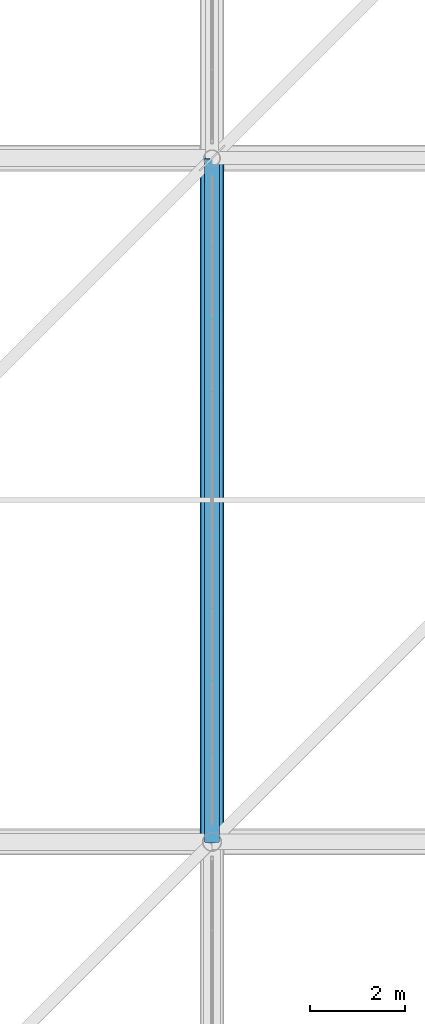
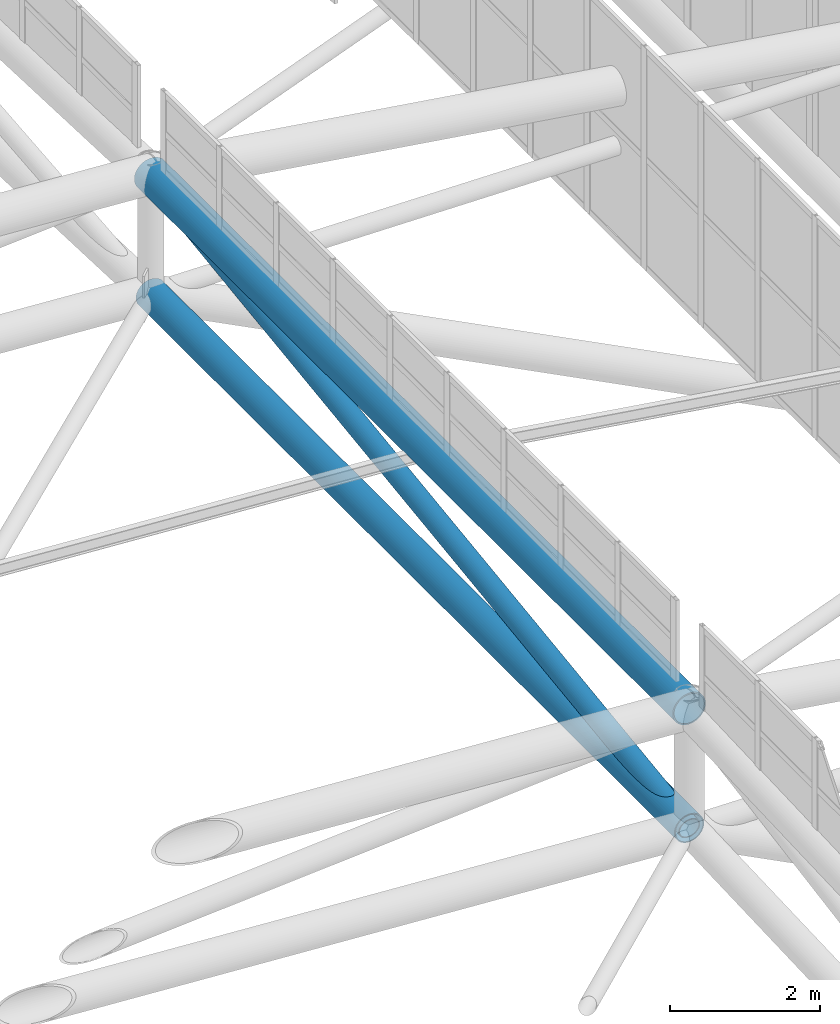
# One storey, part 268 of 397: 2 beams, 1 member.
"""IFC4 building model written with IfcOpenShell, lengths in metres."""

from ifc_helpers import new_model, si_unit, direction, frame, origin, origin_2d, place, context, subcontext, project, spatial, hollow_circle, extrude, material, material_profile, profile_set, type_object, element, save


model = new_model("IFC4")

# Units and contexts
model_context = context("Model", 3, precision=1e-05, world=origin(), true_north=direction((0.0, 1.0)))
body_context = subcontext(model_context, "Body", "Model", "MODEL_VIEW")
ifc_project = project(units=[si_unit("LENGTHUNIT", "METRE"), si_unit("AREAUNIT", "SQUARE_METRE"), si_unit("VOLUMEUNIT", "CUBIC_METRE"), si_unit("PLANEANGLEUNIT", "RADIAN"), si_unit("MASSUNIT", "GRAM", prefix="KILO")], contexts=[model_context])

# Site, building, storey
site_placement = place(None, origin())
site = spatial("IfcSite", under=ifc_project, at=site_placement, CompositionType="ELEMENT")
building_placement = place(site_placement, origin())
building = spatial("IfcBuilding", under=site, at=building_placement, Name="Qandorah Velis Arena", CompositionType="ELEMENT")
storey_placement = place(building_placement, frame((0.0, 0.0, 27.5)))
storey = spatial("IfcBuildingStorey", under=building, at=storey_placement, Name="RF", CompositionType="ELEMENT", Elevation=27.5)

# Beams
ifc_material = material(Name="Steel S355", Category="steel")
ifc_material_profile_1 = material_profile(ifc_material, hollow_circle(Radius=0.228515625, WallThickness=0.01611328125, at=origin_2d()), Name="CHS 457x16")
ifc_profile_set_1 = profile_set([ifc_material_profile_1], Name="Steel S355")
beam_type_1 = type_object("IfcBeamType", Name="STR-SFC-CHS457X16", PredefinedType="USERDEFINED", material=ifc_profile_set_1)
beam_1_placement = place(storey_placement, frame((100.800048828125, 57.60009765625, 7.483154296875), z_axis=(0.0, 1.0, 0.0), x_axis=(-1.0, 0.0, 0.0)))
element("IfcBeam", 1, at=beam_1_placement, inside=storey, type_object=beam_type_1, Name="Space frame roof truss bottom chord Y 6.3", ObjectType="ROOF TRUSS", PredefinedType="USERDEFINED", context=body_context, shape_type="SweptSolid", body=[
    extrude(hollow_circle(Radius=0.228515625, WallThickness=0.01611328125, at=origin_2d()), origin(), (0.0, 0.0, 1.0), 14.39990234375),
])
ifc_material_profile_2 = material_profile(ifc_material, hollow_circle(Radius=0.25390625, WallThickness=0.02001953125, at=origin_2d()), Name="CHS 508x20")
ifc_profile_set_2 = profile_set([ifc_material_profile_2], Name="Steel S355")
beam_type_2 = type_object("IfcBeamType", Name="STR-SFC-CHS508X20", PredefinedType="USERDEFINED", material=ifc_profile_set_2)
beam_2_placement = place(storey_placement, frame((100.800048828125, 57.60009765625, 9.43310546875), z_axis=(0.0, 1.0, 0.0), x_axis=(-1.0, 0.0, 0.0)))
element("IfcBeam", 2, at=beam_2_placement, inside=storey, type_object=beam_type_2, Name="Space frame roof truss top chord Y 6.3", ObjectType="ROOF TRUSS", PredefinedType="USERDEFINED", context=body_context, shape_type="SweptSolid", body=[
    extrude(hollow_circle(Radius=0.25390625, WallThickness=0.02001953125, at=origin_2d()), origin(), (0.0, 0.0, 1.0), 14.39990234375),
])

# Member
ifc_material_profile_3 = material_profile(ifc_material, hollow_circle(Radius=0.161865234375, WallThickness=0.012451171875, at=origin_2d()), Name="CHS 323.9x12.5")
ifc_profile_set_3 = profile_set([ifc_material_profile_3], Name="Steel S355")
member_type = type_object("IfcMemberType", Name="STR-SFD-CHS323X12", PredefinedType="CHORD", material=ifc_profile_set_3)
member_placement = place(storey_placement, frame((100.800048828125, 57.60009765625, 7.483154296875), z_axis=(0.0, 0.990955693773, 0.134189466721), x_axis=(-1.0, 0.0, 0.0)))
element("IfcMember", 3, at=member_placement, inside=storey, type_object=member_type, Name="Space frame roof diagonal Y 6.3", PredefinedType="CHORD", context=body_context, shape_type="SweptSolid", body=[
    extrude(hollow_circle(Radius=0.161865234375, WallThickness=0.012451171875, at=origin_2d()), origin(), (0.0, 0.0, 1.0), 14.53125),
])

save(model, "model.ifc")
